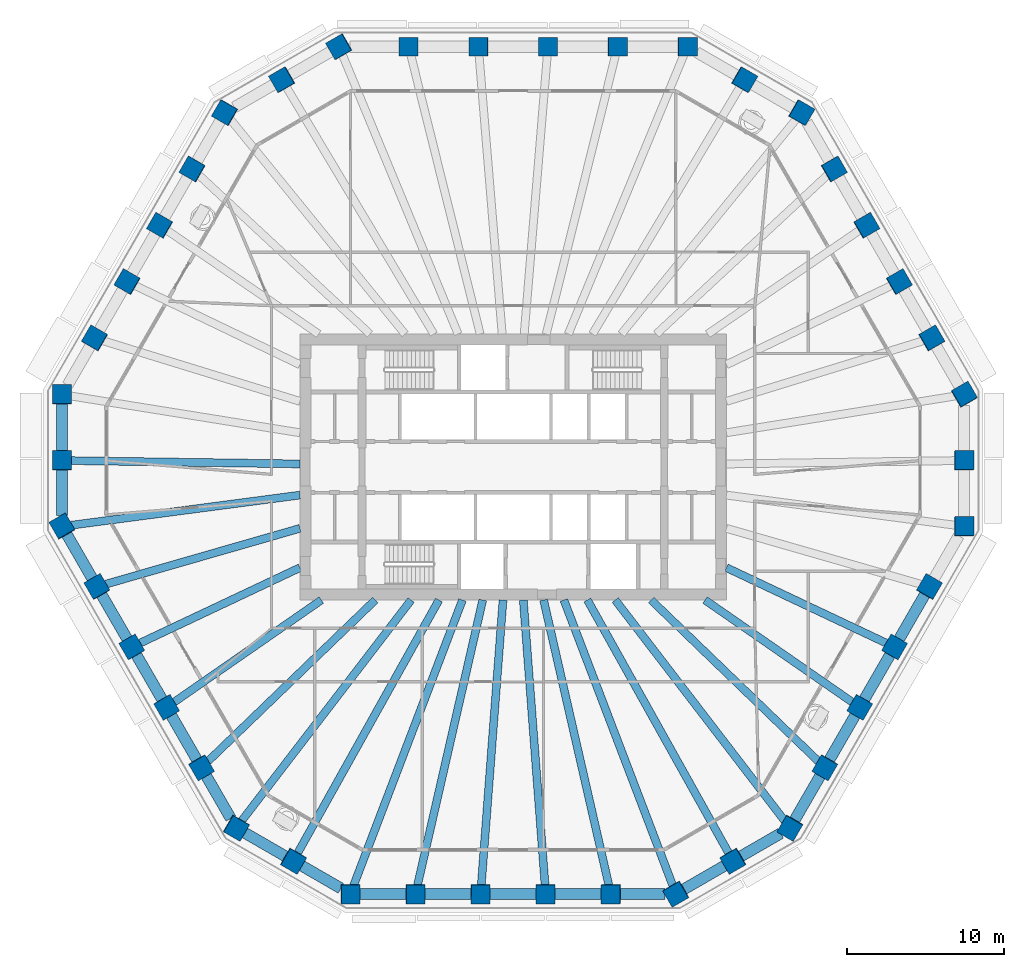
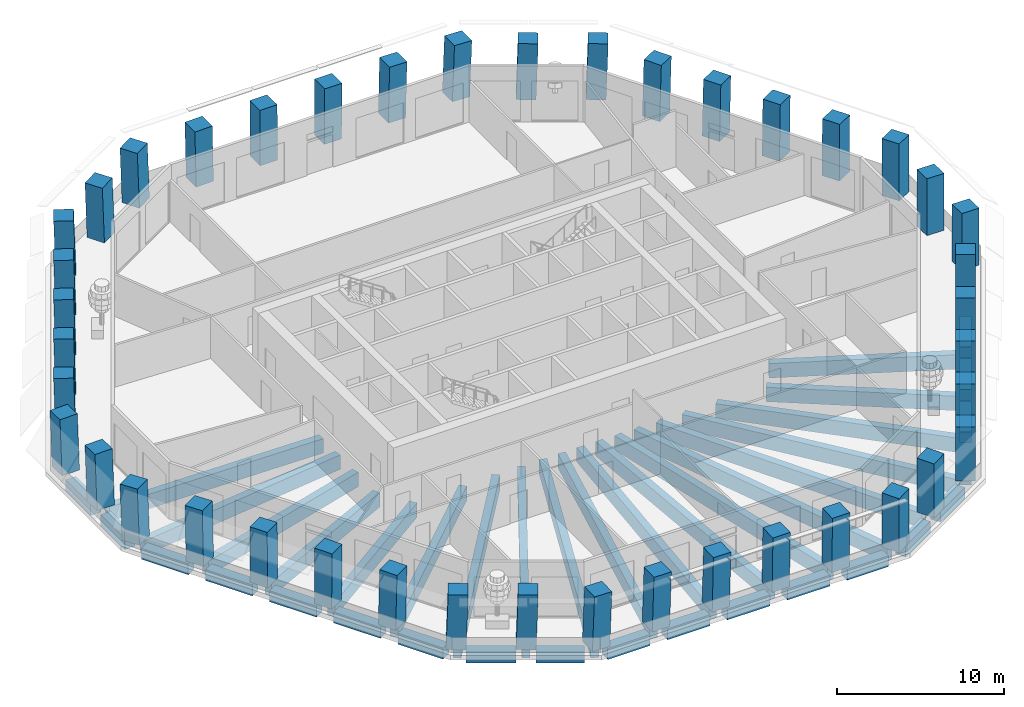
# One storey, part 1 of 12: 42 columns, 39 beams.
"""IFC4 building model written with IfcOpenShell, lengths in metres."""

from ifc_helpers import new_model, si_unit, direction, frame, origin, origin_2d, place, context, subcontext, project, spatial, rectangle, extrude, material, material_profile, profile_set, type_object, element, save


model = new_model("IFC4")

# Units and contexts
model_context = context("Model", 3, precision=1e-05, world=origin(), true_north=direction((0.0, 1.0)))
body_context = subcontext(model_context, "Body", "Model", "MODEL_VIEW")
ifc_project = project(units=[si_unit("LENGTHUNIT", "METRE"), si_unit("AREAUNIT", "SQUARE_METRE"), si_unit("VOLUMEUNIT", "CUBIC_METRE"), si_unit("PLANEANGLEUNIT", "RADIAN"), si_unit("MASSUNIT", "GRAM", prefix="KILO")], contexts=[model_context])

# Site, building, storey
site_placement = place(None, origin())
site = spatial("IfcSite", under=ifc_project, at=site_placement, CompositionType="ELEMENT")
building_placement = place(site_placement, origin())
building = spatial("IfcBuilding", under=site, at=building_placement, Name="Frailejon Research Tower", CompositionType="ELEMENT")
storey_placement = place(building_placement, frame((0.0, 0.0, 158.39990234375)))
storey = spatial("IfcBuildingStorey", under=building, at=storey_placement, Name="L34", CompositionType="ELEMENT", Elevation=158.39990234375)

# Columns
ifc_material_1 = material(Name="Concrete C60/75", Category="concrete")
ifc_material_profile_1 = material_profile(ifc_material_1, rectangle(XDim=1.199951171875, YDim=1.199951171875, at=origin_2d()), Name="Column 1200")
ifc_profile_set_1 = profile_set([ifc_material_profile_1], Name="Concrete C60/75")
column_type = type_object("IfcColumnType", Name="Column 1200", PredefinedType="COLUMN", material=ifc_profile_set_1)
for number, where, z_axis, x_axis, name in (
    (1, (28.65234375, -3.772705078125, 0.0), (0.018132630042, 0.031385715123, 0.999342856388), (-0.000336383425, 0.999507319949, -0.031384776797), "Column C01"),
    (2, (28.65234375, 0.414794921875, 0.0), (0.018132630042, 0.031385715123, 0.999342856388), (-2.2275817e-05, 0.999507197449, -0.031390472292), "Column C02"),
    (3, (28.65234375, 4.602294921875, 0.0), (0.018132595726, 0.031445896907, 0.999340965106), (-0.50065774428, 0.865455051457, -0.018148746509), "Column C03"),
):
    element("IfcColumn", number, at=place(storey_placement, frame(where, z_axis=z_axis, x_axis=x_axis)), inside=storey, type_object=column_type, Name=name, PredefinedType="COLUMN", context=body_context, shape_type="SweptSolid", body=[
        extrude(rectangle(XDim=1.199951171875, YDim=1.199951171875, at=origin_2d()), origin(), (0.0, 0.0, 1.0), 4.052734375),
    ])
column_1_placement = place(storey_placement, frame((26.584228515625, 8.184326171875, 0.0), z_axis=(0.021749390218, 0.025123256844, 0.9994477405), x_axis=(-0.500502362591, 0.865666942435, -0.01086875412)))
element("IfcColumn", 4, at=column_1_placement, inside=storey, type_object=column_type, Name="Column C04", PredefinedType="COLUMN", context=body_context, shape_type="SweptSolid", body=[
    extrude(rectangle(XDim=1.199951171875, YDim=1.199951171875, at=origin_2d()), origin(), (0.0, 0.0, 1.0), 4.05224609375),
])
for number, where, z_axis, x_axis, name in (
    (5, (24.51611328125, 11.766357421875, 0.0), (0.025365582388, 0.018858497119, 0.999500347332), (-0.500321526885, 0.865832042738, -0.003639162491), "Column C05"),
    (6, (22.447998046875, 15.348388671875, 0.0), (0.029040838643, 0.012592396839, 0.999498905068), (-0.500309041058, 0.865839303482, 0.003628220107), "Column C06"),
):
    element("IfcColumn", number, at=place(storey_placement, frame(where, z_axis=z_axis, x_axis=x_axis)), inside=storey, type_object=column_type, Name=name, PredefinedType="COLUMN", context=body_context, shape_type="SweptSolid", body=[
        extrude(rectangle(XDim=1.199951171875, YDim=1.199951171875, at=origin_2d()), origin(), (0.0, 0.0, 1.0), 4.052001953125),
    ])
column_2_placement = place(storey_placement, frame((20.3798828125, 18.930419921875, 0.0), z_axis=(0.032654187208, 0.006265748099, 0.999447069363), x_axis=(-0.498938011444, 0.86656951925, 0.010868718561)))
element("IfcColumn", 7, at=column_2_placement, inside=storey, type_object=column_type, Name="Column C07", PredefinedType="COLUMN", context=body_context, shape_type="SweptSolid", body=[
    extrude(rectangle(XDim=1.199951171875, YDim=1.199951171875, at=origin_2d()), origin(), (0.0, 0.0, 1.0), 4.05224609375),
])
for number, where, z_axis, x_axis, name in (
    (8, (18.31201171875, 22.512451171875, 0.0), (0.036265236264, 0.0, 0.999342199969), (-0.865313546461, 0.500246354177, 0.031401456084), "Column C08"),
    (9, (14.685302734375, 24.606201171875, 0.0), (0.036325398096, 0.0, 0.999340014936), (-0.865311654478, 0.500246354177, 0.031453549198), "Column C09"),
    (10, (11.058837890625, 26.699951171875, 0.0), (0.036265236264, 0.0, 0.999342199969), (-0.999342199969, 0.0, 0.036265236264), "Column C10"),
):
    element("IfcColumn", number, at=place(storey_placement, frame(where, z_axis=z_axis, x_axis=x_axis)), inside=storey, type_object=column_type, Name=name, PredefinedType="COLUMN", context=body_context, shape_type="SweptSolid", body=[
        extrude(rectangle(XDim=1.199951171875, YDim=1.199951171875, at=origin_2d()), origin(), (0.0, 0.0, 1.0), 4.052734375),
    ])
column_3_placement = place(storey_placement, frame((6.63525390625, 26.699951171875, 0.0), z_axis=(0.021756257337, 0.0, 0.999763304621), x_axis=(-0.999763304621, 0.0, 0.021756257337)))
element("IfcColumn", 11, at=column_3_placement, inside=storey, type_object=column_type, Name="Column C11", PredefinedType="COLUMN", context=body_context, shape_type="SweptSolid", body=[
    extrude(rectangle(XDim=1.199951171875, YDim=1.199951171875, at=origin_2d()), origin(), (0.0, 0.0, 1.0), 4.051025390625),
])
for number, where, z_axis, x_axis, name in (
    (12, (2.2119140625, 26.699951171875, 0.0), (0.007233519834, 0.0, 0.999973837753), (-0.999973837753, 0.0, 0.007233519834), "Column C12"),
    (13, (-2.2119140625, 26.699951171875, 0.0), (-0.007233519834, 0.0, 0.999973837753), (-0.999973837753, 0.0, -0.007233519834), "Column C13"),
):
    element("IfcColumn", number, at=place(storey_placement, frame(where, z_axis=z_axis, x_axis=x_axis)), inside=storey, type_object=column_type, Name=name, PredefinedType="COLUMN", context=body_context, shape_type="SweptSolid", body=[
        extrude(rectangle(XDim=1.199951171875, YDim=1.199951171875, at=origin_2d()), origin(), (0.0, 0.0, 1.0), 4.050048828125),
    ])
column_4_placement = place(storey_placement, frame((-6.63525390625, 26.699951171875, 0.0), z_axis=(-0.021756257337, 0.0, 0.999763304621), x_axis=(-0.999763304621, 0.0, -0.021756257337)))
element("IfcColumn", 14, at=column_4_placement, inside=storey, type_object=column_type, Name="Column C14", PredefinedType="COLUMN", context=body_context, shape_type="SweptSolid", body=[
    extrude(rectangle(XDim=1.199951171875, YDim=1.199951171875, at=origin_2d()), origin(), (0.0, 0.0, 1.0), 4.051025390625),
])
for number, where, z_axis, x_axis, name in (
    (15, (-11.058837890625, 26.699951171875, 0.0), (-0.036265236264, 0.0, 0.999342199969), (-0.865313546461, -0.500246354177, -0.031401456084), "Column C15"),
    (16, (-14.685302734375, 24.606201171875, 0.0), (-0.036325398096, 0.0, 0.999340014936), (-0.865311654478, -0.500246354177, -0.031453549198), "Column C16"),
    (17, (-18.31201171875, 22.512451171875, 0.0), (-0.036265236264, 0.0, 0.999342199969), (-0.499424867419, -0.866167613071, -0.018123682572), "Column C17"),
):
    element("IfcColumn", number, at=place(storey_placement, frame(where, z_axis=z_axis, x_axis=x_axis)), inside=storey, type_object=column_type, Name=name, PredefinedType="COLUMN", context=body_context, shape_type="SweptSolid", body=[
        extrude(rectangle(XDim=1.199951171875, YDim=1.199951171875, at=origin_2d()), origin(), (0.0, 0.0, 1.0), 4.052734375),
    ])
column_5_placement = place(storey_placement, frame((-20.3798828125, 18.930419921875, 0.0), z_axis=(-0.032654187208, 0.006265748099, 0.999447069363), x_axis=(-0.498938011444, -0.86656951925, -0.010868718561)))
element("IfcColumn", 18, at=column_5_placement, inside=storey, type_object=column_type, Name="Column C18", PredefinedType="COLUMN", context=body_context, shape_type="SweptSolid", body=[
    extrude(rectangle(XDim=1.199951171875, YDim=1.199951171875, at=origin_2d()), origin(), (0.0, 0.0, 1.0), 4.05224609375),
])
for number, where, z_axis, x_axis, name in (
    (19, (-22.447998046875, 15.348388671875, 0.0), (-0.029040838643, 0.012592396839, 0.999498905068), (-0.500309041058, -0.865839303482, -0.003628220107), "Column C19"),
    (20, (-24.51611328125, 11.766357421875, 0.0), (-0.025365582388, 0.018858497119, 0.999500347332), (-0.500321526885, -0.865832042738, 0.003639162491), "Column C20"),
):
    element("IfcColumn", number, at=place(storey_placement, frame(where, z_axis=z_axis, x_axis=x_axis)), inside=storey, type_object=column_type, Name=name, PredefinedType="COLUMN", context=body_context, shape_type="SweptSolid", body=[
        extrude(rectangle(XDim=1.199951171875, YDim=1.199951171875, at=origin_2d()), origin(), (0.0, 0.0, 1.0), 4.052001953125),
    ])
column_6_placement = place(storey_placement, frame((-26.584228515625, 8.184326171875, 0.0), z_axis=(-0.021749390218, 0.025123256844, 0.9994477405), x_axis=(-0.500502362591, -0.865666942435, 0.01086875412)))
element("IfcColumn", 21, at=column_6_placement, inside=storey, type_object=column_type, Name="Column C21", PredefinedType="COLUMN", context=body_context, shape_type="SweptSolid", body=[
    extrude(rectangle(XDim=1.199951171875, YDim=1.199951171875, at=origin_2d()), origin(), (0.0, 0.0, 1.0), 4.05224609375),
])
for number, where, z_axis, x_axis, name in (
    (22, (-28.65234375, 4.602294921875, 0.0), (-0.018132595726, 0.031445896907, 0.999340965106), (-0.000852885111, -0.999505415626, 0.031435596392), "Column C22"),
    (23, (-28.65234375, 0.414794921875, 0.0), (-0.018132630042, 0.031385715123, 0.999342856388), (-2.2275817e-05, -0.999507197449, 0.031390472292), "Column C23"),
    (24, (-28.65234375, -3.772705078125, 0.0), (-0.018132630042, 0.031385715123, 0.999342856388), (0.49987281181, -0.865340000596, 0.036247143087), "Column C24"),
):
    element("IfcColumn", number, at=place(storey_placement, frame(where, z_axis=z_axis, x_axis=x_axis)), inside=storey, type_object=column_type, Name=name, PredefinedType="COLUMN", context=body_context, shape_type="SweptSolid", body=[
        extrude(rectangle(XDim=1.199951171875, YDim=1.199951171875, at=origin_2d()), origin(), (0.0, 0.0, 1.0), 4.052734375),
    ])
column_7_placement = place(storey_placement, frame((-26.4404296875, -7.603515625, 0.0), z_axis=(-0.010908266268, 0.018803199313, 0.999763696792), x_axis=(0.501388074159, -0.864949390756, 0.021738227219)))
element("IfcColumn", 25, at=column_7_placement, inside=storey, type_object=column_type, Name="Column C25", PredefinedType="COLUMN", context=body_context, shape_type="SweptSolid", body=[
    extrude(rectangle(XDim=1.199951171875, YDim=1.199951171875, at=origin_2d()), origin(), (0.0, 0.0, 1.0), 4.051025390625),
])
for number, where, z_axis, x_axis, name in (
    (26, (-24.228759765625, -11.4345703125, 0.0), (-0.003616759812, 0.006269050341, 0.999973808685), (0.500530036588, -0.865688916746, 0.00723753388), "Column C26"),
    (27, (-22.01708984375, -15.265380859375, 0.0), (0.003677036938, -0.006329325876, 0.999973209158), (0.500791168023, -0.86553718882, -0.007319890655), "Column C27"),
):
    element("IfcColumn", number, at=place(storey_placement, frame(where, z_axis=z_axis, x_axis=x_axis)), inside=storey, type_object=column_type, Name=name, PredefinedType="COLUMN", context=body_context, shape_type="SweptSolid", body=[
        extrude(rectangle(XDim=1.199951171875, YDim=1.199951171875, at=origin_2d()), origin(), (0.0, 0.0, 1.0), 4.050048828125),
    ])
column_8_placement = place(storey_placement, frame((-19.80517578125, -19.096435546875, 0.0), z_axis=(0.010908266268, -0.018803199313, 0.999763696792), x_axis=(0.501388074159, -0.864949390756, -0.021738227219)))
element("IfcColumn", 28, at=column_8_placement, inside=storey, type_object=column_type, Name="Column C28", PredefinedType="COLUMN", context=body_context, shape_type="SweptSolid", body=[
    extrude(rectangle(XDim=1.199951171875, YDim=1.199951171875, at=origin_2d()), origin(), (0.0, 0.0, 1.0), 4.051025390625),
])
for number, where, z_axis, x_axis, name in (
    (29, (-17.593505859375, -22.92724609375, 0.0), (0.018132630042, -0.031385715123, 0.999342856388), (0.865999247617, -0.499059286831, -0.031386802217), "Column C29"),
    (30, (-13.966796875, -25.02099609375, 0.0), (0.018132630042, -0.031385715123, 0.999342856388), (0.866156195426, -0.498787200508, -0.031381104725), "Column C30"),
    (31, (-10.34033203125, -27.11474609375, 0.0), (0.018132595726, -0.031445896907, 0.999340965106), (0.99983524919, -0.000256147078, -0.018149624376), "Column C31"),
):
    element("IfcColumn", number, at=place(storey_placement, frame(where, z_axis=z_axis, x_axis=x_axis)), inside=storey, type_object=column_type, Name=name, PredefinedType="COLUMN", context=body_context, shape_type="SweptSolid", body=[
        extrude(rectangle(XDim=1.199951171875, YDim=1.199951171875, at=origin_2d()), origin(), (0.0, 0.0, 1.0), 4.052734375),
    ])
column_9_placement = place(storey_placement, frame((-6.2041015625, -27.11474609375, 0.0), z_axis=(0.010844558034, -0.031449218299, 0.999446517944), x_axis=(0.999940272601, -0.001017302155, -0.010881926626)))
element("IfcColumn", 32, at=column_9_placement, inside=storey, type_object=column_type, Name="Column C32", PredefinedType="COLUMN", context=body_context, shape_type="SweptSolid", body=[
    extrude(rectangle(XDim=1.199951171875, YDim=1.199951171875, at=origin_2d()), origin(), (0.0, 0.0, 1.0), 4.05224609375),
])
for number, where, z_axis, x_axis, name in (
    (33, (-2.068115234375, -27.11474609375, 0.0), (0.003615041636, -0.031450862236, 0.999498761749), (0.999993193045, -0.000624412618, -0.003636478086), "Column C33"),
    (34, (2.068115234375, -27.11474609375, 0.0), (-0.003615041636, -0.031450862236, 0.999498761749), (0.999993193045, 0.000624412618, 0.003636478086), "Column C34"),
):
    element("IfcColumn", number, at=place(storey_placement, frame(where, z_axis=z_axis, x_axis=x_axis)), inside=storey, type_object=column_type, Name=name, PredefinedType="COLUMN", context=body_context, shape_type="SweptSolid", body=[
        extrude(rectangle(XDim=1.199951171875, YDim=1.199951171875, at=origin_2d()), origin(), (0.0, 0.0, 1.0), 4.052001953125),
    ])
column_10_placement = place(storey_placement, frame((6.2041015625, -27.11474609375, 0.0), z_axis=(-0.010844558034, -0.031449218299, 0.999446517944), x_axis=(0.999940272601, 0.001017302155, 0.010881926626)))
element("IfcColumn", 35, at=column_10_placement, inside=storey, type_object=column_type, Name="Column C35", PredefinedType="COLUMN", context=body_context, shape_type="SweptSolid", body=[
    extrude(rectangle(XDim=1.199951171875, YDim=1.199951171875, at=origin_2d()), origin(), (0.0, 0.0, 1.0), 4.05224609375),
])
for number, where, z_axis, x_axis, name in (
    (36, (10.34033203125, -27.11474609375, 0.0), (-0.018132595726, -0.031445896907, 0.999340965106), (0.865469370655, 0.499974541214, 0.031436071558), "Column C36"),
    (37, (13.966796875, -25.02099609375, 0.0), (-0.018132630042, -0.031385715123, 0.999342856388), (0.866156195426, 0.498787200508, 0.031381104725), "Column C37"),
    (38, (17.593505859375, -22.92724609375, 0.0), (-0.018132630042, -0.031385715123, 0.999342856388), (0.49987281181, 0.865340000596, 0.036247143087), "Column C38"),
):
    element("IfcColumn", number, at=place(storey_placement, frame(where, z_axis=z_axis, x_axis=x_axis)), inside=storey, type_object=column_type, Name=name, PredefinedType="COLUMN", context=body_context, shape_type="SweptSolid", body=[
        extrude(rectangle(XDim=1.199951171875, YDim=1.199951171875, at=origin_2d()), origin(), (0.0, 0.0, 1.0), 4.052734375),
    ])
column_11_placement = place(storey_placement, frame((19.80517578125, -19.096435546875, 0.0), z_axis=(-0.010908266268, -0.018803199313, 0.999763696792), x_axis=(0.501388074159, 0.864949390756, 0.021738227219)))
element("IfcColumn", 39, at=column_11_placement, inside=storey, type_object=column_type, Name="Column C39", PredefinedType="COLUMN", context=body_context, shape_type="SweptSolid", body=[
    extrude(rectangle(XDim=1.199951171875, YDim=1.199951171875, at=origin_2d()), origin(), (0.0, 0.0, 1.0), 4.051025390625),
])
for number, where, z_axis, x_axis, name in (
    (40, (22.01708984375, -15.265380859375, 0.0), (-0.003677036938, -0.006329325876, 0.999973209158), (0.500791168023, 0.86553718882, 0.007319890655), "Column C40"),
    (41, (24.228759765625, -11.4345703125, 0.0), (0.003616759812, 0.006269050341, 0.999973808685), (0.500530036588, 0.865688916746, -0.00723753388), "Column C41"),
):
    element("IfcColumn", number, at=place(storey_placement, frame(where, z_axis=z_axis, x_axis=x_axis)), inside=storey, type_object=column_type, Name=name, PredefinedType="COLUMN", context=body_context, shape_type="SweptSolid", body=[
        extrude(rectangle(XDim=1.199951171875, YDim=1.199951171875, at=origin_2d()), origin(), (0.0, 0.0, 1.0), 4.050048828125),
    ])
column_12_placement = place(storey_placement, frame((26.4404296875, -7.603515625, 0.0), z_axis=(0.010908266268, 0.018803199313, 0.999763696792), x_axis=(0.501388074159, 0.864949390756, -0.021738227219)))
element("IfcColumn", 42, at=column_12_placement, inside=storey, type_object=column_type, Name="Column C42", PredefinedType="COLUMN", context=body_context, shape_type="SweptSolid", body=[
    extrude(rectangle(XDim=1.199951171875, YDim=1.199951171875, at=origin_2d()), origin(), (0.0, 0.0, 1.0), 4.051025390625),
])

# Beams
ifc_material_2 = material(Name="Concrete C60/75", Category="concrete")
ifc_material_profile_2 = material_profile(ifc_material_2, rectangle(XDim=0.5, YDim=1.050048828125, at=origin_2d()), Name="Girder 500x1050")
ifc_profile_set_2 = profile_set([ifc_material_profile_2], Name="Concrete C60/75")
beam_type_1 = type_object("IfcBeamType", Name="Girder 500x1050", PredefinedType="BEAM", material=ifc_profile_set_2)
beam_1_placement = place(storey_placement, frame((-28.202392578125, 0.408203125, -0.824951171875), z_axis=(0.999895429969, -0.014461297541, 0.0), x_axis=(0.014461297541, 0.999895429969, 0.0)))
element("IfcBeam", 43, at=beam_1_placement, inside=storey, type_object=beam_type_1, Name="Girder 500x1050", PredefinedType="BEAM", context=body_context, shape_type="SweptSolid", body=[
    extrude(rectangle(XDim=0.5, YDim=1.050048828125, at=origin_2d()), origin(), (0.0, 0.0, 1.0), 14.65380859375),
])
beam_2_placement = place(storey_placement, frame((-28.156982421875, -3.70751953125, -0.824951171875), z_axis=(0.991442221212, 0.130546244672, 0.0), x_axis=(-0.130546244672, 0.991442221212, 0.0)))
element("IfcBeam", 44, at=beam_2_placement, inside=storey, type_object=beam_type_1, Name="Girder 500x1050", PredefinedType="BEAM", context=body_context, shape_type="SweptSolid", body=[
    extrude(rectangle(XDim=0.5, YDim=1.050048828125, at=origin_2d()), origin(), (0.0, 0.0, 1.0), 14.73291015625),
])
beam_3_placement = place(storey_placement, frame((-25.990478515625, -7.47412109375, -0.824951171875), z_axis=(0.961048516435, 0.27637971897, 0.0), x_axis=(-0.27637971897, 0.961048516435, 0.0)))
element("IfcBeam", 45, at=beam_3_placement, inside=storey, type_object=beam_type_1, Name="Girder 500x1050", PredefinedType="BEAM", context=body_context, shape_type="SweptSolid", body=[
    extrude(rectangle(XDim=0.5, YDim=1.050048828125, at=origin_2d()), origin(), (0.0, 0.0, 1.0), 12.944580078125),
])
beam_4_placement = place(storey_placement, frame((-23.820068359375, -11.24169921875, -0.824951171875), z_axis=(0.904344084381, 0.42680414366, 0.0), x_axis=(-0.42680414366, 0.904344084381, 0.0)))
element("IfcBeam", 46, at=beam_4_placement, inside=storey, type_object=beam_type_1, Name="Girder 500x1050", PredefinedType="BEAM", context=body_context, shape_type="SweptSolid", body=[
    extrude(rectangle(XDim=0.5, YDim=1.050048828125, at=origin_2d()), origin(), (0.0, 0.0, 1.0), 11.356201171875),
])
beam_5_placement = place(storey_placement, frame((-21.6455078125, -15.0078125, -0.824951171875), z_axis=(0.821791836671, 0.569787835234, 0.0), x_axis=(-0.569787835234, 0.821791836671, 0.0)))
element("IfcBeam", 47, at=beam_5_placement, inside=storey, type_object=beam_type_1, Name="Girder 500x1050", PredefinedType="BEAM", context=body_context, shape_type="SweptSolid", body=[
    extrude(rectangle(XDim=0.5, YDim=1.050048828125, at=origin_2d()), origin(), (0.0, 0.0, 1.0), 11.50927734375),
])
beam_6_placement = place(storey_placement, frame((-19.468017578125, -18.771484375, -0.824951171875), z_axis=(0.719861581646, 0.694117643682, 0.0), x_axis=(-0.694117643682, 0.719861581646, 0.0)))
element("IfcBeam", 48, at=beam_6_placement, inside=storey, type_object=beam_type_1, Name="Girder 500x1050", PredefinedType="BEAM", context=body_context, shape_type="SweptSolid", body=[
    extrude(rectangle(XDim=0.5, YDim=1.050048828125, at=origin_2d()), origin(), (0.0, 0.0, 1.0), 14.8701171875),
])
beam_7_placement = place(storey_placement, frame((-17.31640625, -22.566162109375, -0.824951171875), z_axis=(0.608780027004, 0.793339069201, 0.0), x_axis=(-0.793339069201, 0.608780027004, 0.0)))
element("IfcBeam", 49, at=beam_7_placement, inside=storey, type_object=beam_type_1, Name="Girder 500x1050", PredefinedType="BEAM", context=body_context, shape_type="SweptSolid", body=[
    extrude(rectangle(XDim=0.5, YDim=1.050048828125, at=origin_2d()), origin(), (0.0, 0.0, 1.0), 17.79345703125),
])
beam_8_placement = place(storey_placement, frame((-13.74755859375, -24.6279296875, -0.824951171875), z_axis=(0.487415225637, 0.873170314324, 0.0), x_axis=(-0.873170314324, 0.487415225637, 0.0)))
element("IfcBeam", 50, at=beam_8_placement, inside=storey, type_object=beam_type_1, Name="Girder 500x1050", PredefinedType="BEAM", context=body_context, shape_type="SweptSolid", body=[
    extrude(rectangle(XDim=0.5, YDim=1.050048828125, at=origin_2d()), origin(), (0.0, 0.0, 1.0), 18.52783203125),
])
beam_9_placement = place(storey_placement, frame((-10.1650390625, -26.655029296875, -0.824951171875), z_axis=(0.356325138574, 0.934362025994, 0.0), x_axis=(-0.934362025994, 0.356325138574, 0.0)))
element("IfcBeam", 51, at=beam_9_placement, inside=storey, type_object=beam_type_1, Name="Girder 500x1050", PredefinedType="BEAM", context=body_context, shape_type="SweptSolid", body=[
    extrude(rectangle(XDim=0.5, YDim=1.050048828125, at=origin_2d()), origin(), (0.0, 0.0, 1.0), 19.48388671875),
])
beam_10_placement = place(storey_placement, frame((-6.100341796875, -26.660888671875, -0.824951171875), z_axis=(0.2230408985, 0.974809087769, 0.0), x_axis=(-0.974809087769, 0.2230408985, 0.0)))
element("IfcBeam", 52, at=beam_10_placement, inside=storey, type_object=beam_type_1, Name="Girder 500x1050", PredefinedType="BEAM", context=body_context, shape_type="SweptSolid", body=[
    extrude(rectangle(XDim=0.5, YDim=1.050048828125, at=origin_2d()), origin(), (0.0, 0.0, 1.0), 18.681640625),
])
for number, where, z_axis, x_axis, name in (
    (53, (-2.03369140625, -26.664306640625, -0.824951171875), (0.076046475085, 0.9971042742, 0.0), (-0.9971042742, 0.076046475085, 0.0), "Girder 500x1050"),
    (54, (2.03369140625, -26.664306640625, -0.824951171875), (-0.076046475085, 0.9971042742, 0.0), (-0.9971042742, -0.076046475085, 0.0), "Girder 500x1050"),
):
    element("IfcBeam", number, at=place(storey_placement, frame(where, z_axis=z_axis, x_axis=x_axis)), inside=storey, type_object=beam_type_1, Name=name, PredefinedType="BEAM", context=body_context, shape_type="SweptSolid", body=[
        extrude(rectangle(XDim=0.5, YDim=1.050048828125, at=origin_2d()), origin(), (0.0, 0.0, 1.0), 18.267333984375),
    ])
beam_11_placement = place(storey_placement, frame((6.100341796875, -26.660888671875, -0.824951171875), z_axis=(-0.2230408985, 0.974809087769, 0.0), x_axis=(-0.974809087769, -0.2230408985, 0.0)))
element("IfcBeam", 55, at=beam_11_placement, inside=storey, type_object=beam_type_1, Name="Girder 500x1050", PredefinedType="BEAM", context=body_context, shape_type="SweptSolid", body=[
    extrude(rectangle(XDim=0.5, YDim=1.050048828125, at=origin_2d()), origin(), (0.0, 0.0, 1.0), 18.681640625),
])
beam_12_placement = place(storey_placement, frame((10.17724609375, -26.687255859375, -0.824951171875), z_axis=(-0.356321435868, 0.934363438037, 0.0), x_axis=(-0.934363438037, -0.356321435868, 0.0)))
element("IfcBeam", 56, at=beam_12_placement, inside=storey, type_object=beam_type_1, Name="Girder 500x1050", PredefinedType="BEAM", context=body_context, shape_type="SweptSolid", body=[
    extrude(rectangle(XDim=0.5, YDim=1.050048828125, at=origin_2d()), origin(), (0.0, 0.0, 1.0), 19.518310546875),
])
beam_13_placement = place(storey_placement, frame((13.74755859375, -24.6279296875, -0.824951171875), z_axis=(-0.487415225637, 0.873170314324, 0.0), x_axis=(-0.873170314324, -0.487415225637, 0.0)))
element("IfcBeam", 57, at=beam_13_placement, inside=storey, type_object=beam_type_1, Name="Girder 500x1050", PredefinedType="BEAM", context=body_context, shape_type="SweptSolid", body=[
    extrude(rectangle(XDim=0.5, YDim=1.050048828125, at=origin_2d()), origin(), (0.0, 0.0, 1.0), 18.52783203125),
])
beam_14_placement = place(storey_placement, frame((17.289306640625, -22.531005859375, -0.824951171875), z_axis=(-0.608775702231, 0.793342387859, 0.0), x_axis=(-0.793342387859, -0.608775702231, 0.0)))
element("IfcBeam", 58, at=beam_14_placement, inside=storey, type_object=beam_type_1, Name="Girder 500x1050", PredefinedType="BEAM", context=body_context, shape_type="SweptSolid", body=[
    extrude(rectangle(XDim=0.5, YDim=1.050048828125, at=origin_2d()), origin(), (0.0, 0.0, 1.0), 17.7490234375),
])
beam_15_placement = place(storey_placement, frame((19.468017578125, -18.771484375, -0.824951171875), z_axis=(-0.719861581646, 0.694117643682, 0.0), x_axis=(-0.694117643682, -0.719861581646, 0.0)))
element("IfcBeam", 59, at=beam_15_placement, inside=storey, type_object=beam_type_1, Name="Girder 500x1050", PredefinedType="BEAM", context=body_context, shape_type="SweptSolid", body=[
    extrude(rectangle(XDim=0.5, YDim=1.050048828125, at=origin_2d()), origin(), (0.0, 0.0, 1.0), 14.8701171875),
])
beam_16_placement = place(storey_placement, frame((21.6455078125, -15.0078125, -0.824951171875), z_axis=(-0.821791836671, 0.569787835234, 0.0), x_axis=(-0.569787835234, -0.821791836671, 0.0)))
element("IfcBeam", 60, at=beam_16_placement, inside=storey, type_object=beam_type_1, Name="Girder 500x1050", PredefinedType="BEAM", context=body_context, shape_type="SweptSolid", body=[
    extrude(rectangle(XDim=0.5, YDim=1.050048828125, at=origin_2d()), origin(), (0.0, 0.0, 1.0), 11.50927734375),
])
beam_17_placement = place(storey_placement, frame((23.820068359375, -11.24169921875, -0.824951171875), z_axis=(-0.904344084381, 0.42680414366, 0.0), x_axis=(-0.42680414366, -0.904344084381, 0.0)))
element("IfcBeam", 61, at=beam_17_placement, inside=storey, type_object=beam_type_1, Name="Girder 500x1050", PredefinedType="BEAM", context=body_context, shape_type="SweptSolid", body=[
    extrude(rectangle(XDim=0.5, YDim=1.050048828125, at=origin_2d()), origin(), (0.0, 0.0, 1.0), 11.356201171875),
])
ifc_material_3 = material(Name="Concrete C60/75", Category="concrete")
ifc_material_profile_3 = material_profile(ifc_material_3, rectangle(XDim=0.699951171875, YDim=0.800048828125, at=origin_2d()), Name="Spandrel 700x800")
ifc_profile_set_3 = profile_set([ifc_material_profile_3], Name="Concrete C60/75")
beam_type_2 = type_object("IfcBeamType", Name="Spandrel 700x800", PredefinedType="BEAM", material=ifc_profile_set_3)
beam_18_placement = place(storey_placement, frame((-28.65234375, 4.00244140625, -0.75), z_axis=(0.0, -1.0, 0.0), x_axis=(1.0, 0.0, 0.0)))
element("IfcBeam", 62, at=beam_18_placement, inside=storey, type_object=beam_type_2, Name="Spandrel 700x800", PredefinedType="BEAM", context=body_context, shape_type="SweptSolid", body=[
    extrude(rectangle(XDim=0.699951171875, YDim=0.800048828125, at=origin_2d()), origin(), (0.0, 0.0, 1.0), 2.987548828125),
])
beam_19_placement = place(storey_placement, frame((-28.65234375, -0.185302734375, -0.75), z_axis=(0.0, -1.0, 0.0), x_axis=(1.0, 0.0, 0.0)))
element("IfcBeam", 63, at=beam_19_placement, inside=storey, type_object=beam_type_2, Name="Spandrel 700x800", PredefinedType="BEAM", context=body_context, shape_type="SweptSolid", body=[
    extrude(rectangle(XDim=0.699951171875, YDim=0.800048828125, at=origin_2d()), origin(), (0.0, 0.0, 1.0), 2.89453125),
])
beam_20_placement = place(storey_placement, frame((-28.352294921875, -4.292236328125, -0.75), z_axis=(0.499999981359, -0.866025414547, 0.0), x_axis=(0.866025414547, 0.499999981359, 0.0)))
element("IfcBeam", 64, at=beam_20_placement, inside=storey, type_object=beam_type_2, Name="Spandrel 700x800", PredefinedType="BEAM", context=body_context, shape_type="SweptSolid", body=[
    extrude(rectangle(XDim=0.699951171875, YDim=0.800048828125, at=origin_2d()), origin(), (0.0, 0.0, 1.0), 3.2236328125),
])
beam_21_placement = place(storey_placement, frame((-26.140380859375, -8.123291015625, -0.75), z_axis=(0.499975971767, -0.866039276047, 0.0), x_axis=(0.866039276047, 0.499975971767, 0.0)))
element("IfcBeam", 65, at=beam_21_placement, inside=storey, type_object=beam_type_2, Name="Spandrel 700x800", PredefinedType="BEAM", context=body_context, shape_type="SweptSolid", body=[
    extrude(rectangle(XDim=0.699951171875, YDim=0.800048828125, at=origin_2d()), origin(), (0.0, 0.0, 1.0), 3.223388671875),
])
for number, where, z_axis, x_axis, name in (
    (66, (-23.9287109375, -11.9541015625, -0.75), (0.499999981359, -0.866025414547, 0.0), (0.866025414547, 0.499999981359, 0.0), "Spandrel 700x800"),
    (67, (-21.717041015625, -15.78515625, -0.75), (0.499999981359, -0.866025414547, 0.0), (0.866025414547, 0.499999981359, 0.0), "Spandrel 700x800"),
):
    element("IfcBeam", number, at=place(storey_placement, frame(where, z_axis=z_axis, x_axis=x_axis)), inside=storey, type_object=beam_type_2, Name=name, PredefinedType="BEAM", context=body_context, shape_type="SweptSolid", body=[
        extrude(rectangle(XDim=0.699951171875, YDim=0.800048828125, at=origin_2d()), origin(), (0.0, 0.0, 1.0), 3.2236328125),
    ])
beam_22_placement = place(storey_placement, frame((-19.505126953125, -19.615966796875, -0.75), z_axis=(0.499996953601, -0.866027162616, 0.0), x_axis=(0.866027162616, 0.499996953601, 0.0)))
element("IfcBeam", 68, at=beam_22_placement, inside=storey, type_object=beam_type_2, Name="Spandrel 700x800", PredefinedType="BEAM", context=body_context, shape_type="SweptSolid", body=[
    extrude(rectangle(XDim=0.699951171875, YDim=0.800048828125, at=origin_2d()), origin(), (0.0, 0.0, 1.0), 3.130859375),
])
beam_23_placement = place(storey_placement, frame((-17.07373046875, -23.227294921875, -0.75), z_axis=(0.86603180189, -0.499988917992, 0.0), x_axis=(0.499988917992, 0.86603180189, 0.0)))
element("IfcBeam", 69, at=beam_23_placement, inside=storey, type_object=beam_type_2, Name="Spandrel 700x800", PredefinedType="BEAM", context=body_context, shape_type="SweptSolid", body=[
    extrude(rectangle(XDim=0.699951171875, YDim=0.800048828125, at=origin_2d()), origin(), (0.0, 0.0, 1.0), 2.9873046875),
])
beam_24_placement = place(storey_placement, frame((-13.447265625, -25.321044921875, -0.75), z_axis=(0.866033897268, -0.499985288567, 0.0), x_axis=(0.499985288567, 0.866033897268, 0.0)))
element("IfcBeam", 70, at=beam_24_placement, inside=storey, type_object=beam_type_2, Name="Spandrel 700x800", PredefinedType="BEAM", context=body_context, shape_type="SweptSolid", body=[
    extrude(rectangle(XDim=0.699951171875, YDim=0.800048828125, at=origin_2d()), origin(), (0.0, 0.0, 1.0), 2.89453125),
])
beam_25_placement = place(storey_placement, frame((-9.740478515625, -27.11474609375, -0.75), z_axis=(1.0, 0.0, 0.0), x_axis=(0.0, 1.0, 0.0)))
element("IfcBeam", 71, at=beam_25_placement, inside=storey, type_object=beam_type_2, Name="Spandrel 700x800", PredefinedType="BEAM", context=body_context, shape_type="SweptSolid", body=[
    extrude(rectangle(XDim=0.699951171875, YDim=0.800048828125, at=origin_2d()), origin(), (0.0, 0.0, 1.0), 2.936279296875),
])
for number, where, z_axis, x_axis, name in (
    (72, (-5.604248046875, -27.11474609375, -0.75), (1.0, 0.0, 0.0), (0.0, 1.0, 0.0), "Spandrel 700x800"),
    (73, (-1.468017578125, -27.11474609375, -0.75), (1.0, 0.0, 0.0), (0.0, 1.0, 0.0), "Spandrel 700x800"),
    (74, (2.668212890625, -27.11474609375, -0.75), (1.0, 0.0, 0.0), (0.0, 1.0, 0.0), "Spandrel 700x800"),
):
    element("IfcBeam", number, at=place(storey_placement, frame(where, z_axis=z_axis, x_axis=x_axis)), inside=storey, type_object=beam_type_2, Name=name, PredefinedType="BEAM", context=body_context, shape_type="SweptSolid", body=[
        extrude(rectangle(XDim=0.699951171875, YDim=0.800048828125, at=origin_2d()), origin(), (0.0, 0.0, 1.0), 2.93603515625),
    ])
beam_26_placement = place(storey_placement, frame((6.80419921875, -27.11474609375, -0.75), z_axis=(1.0, 0.0, 0.0), x_axis=(0.0, 1.0, 0.0)))
element("IfcBeam", 75, at=beam_26_placement, inside=storey, type_object=beam_type_2, Name="Spandrel 700x800", PredefinedType="BEAM", context=body_context, shape_type="SweptSolid", body=[
    extrude(rectangle(XDim=0.699951171875, YDim=0.800048828125, at=origin_2d()), origin(), (0.0, 0.0, 1.0), 2.843505859375),
])
beam_27_placement = place(storey_placement, frame((10.860107421875, -26.814697265625, -0.75), z_axis=(0.86603180189, 0.499988917992, 0.0), x_axis=(-0.499988917992, 0.86603180189, 0.0)))
element("IfcBeam", 76, at=beam_27_placement, inside=storey, type_object=beam_type_2, Name="Spandrel 700x800", PredefinedType="BEAM", context=body_context, shape_type="SweptSolid", body=[
    extrude(rectangle(XDim=0.699951171875, YDim=0.800048828125, at=origin_2d()), origin(), (0.0, 0.0, 1.0), 2.9873046875),
])
beam_28_placement = place(storey_placement, frame((14.486572265625, -24.720947265625, -0.75), z_axis=(0.866033897268, 0.499985288567, 0.0), x_axis=(-0.499985288567, 0.866033897268, 0.0)))
element("IfcBeam", 77, at=beam_28_placement, inside=storey, type_object=beam_type_2, Name="Spandrel 700x800", PredefinedType="BEAM", context=body_context, shape_type="SweptSolid", body=[
    extrude(rectangle(XDim=0.699951171875, YDim=0.800048828125, at=origin_2d()), origin(), (0.0, 0.0, 1.0), 2.89453125),
])
for number, where, z_axis, x_axis, name in (
    (78, (17.893310546875, -22.40771484375, -0.75), (0.499999981359, 0.866025414547, 0.0), (-0.866025414547, 0.499999981359, 0.0), "Spandrel 700x800"),
    (79, (20.105224609375, -18.576904296875, -0.75), (0.499999981359, 0.866025414547, 0.0), (-0.866025414547, 0.499999981359, 0.0), "Spandrel 700x800"),
    (80, (22.31689453125, -14.745849609375, -0.75), (0.499999981359, 0.866025414547, 0.0), (-0.866025414547, 0.499999981359, 0.0), "Spandrel 700x800"),
):
    element("IfcBeam", number, at=place(storey_placement, frame(where, z_axis=z_axis, x_axis=x_axis)), inside=storey, type_object=beam_type_2, Name=name, PredefinedType="BEAM", context=body_context, shape_type="SweptSolid", body=[
        extrude(rectangle(XDim=0.699951171875, YDim=0.800048828125, at=origin_2d()), origin(), (0.0, 0.0, 1.0), 3.2236328125),
    ])
beam_29_placement = place(storey_placement, frame((24.52880859375, -10.914794921875, -0.75), z_axis=(0.499975971767, 0.866039276047, 0.0), x_axis=(-0.866039276047, 0.499975971767, 0.0)))
element("IfcBeam", 81, at=beam_29_placement, inside=storey, type_object=beam_type_2, Name="Spandrel 700x800", PredefinedType="BEAM", context=body_context, shape_type="SweptSolid", body=[
    extrude(rectangle(XDim=0.699951171875, YDim=0.800048828125, at=origin_2d()), origin(), (0.0, 0.0, 1.0), 3.223388671875),
])

save(model, "model.ifc")
